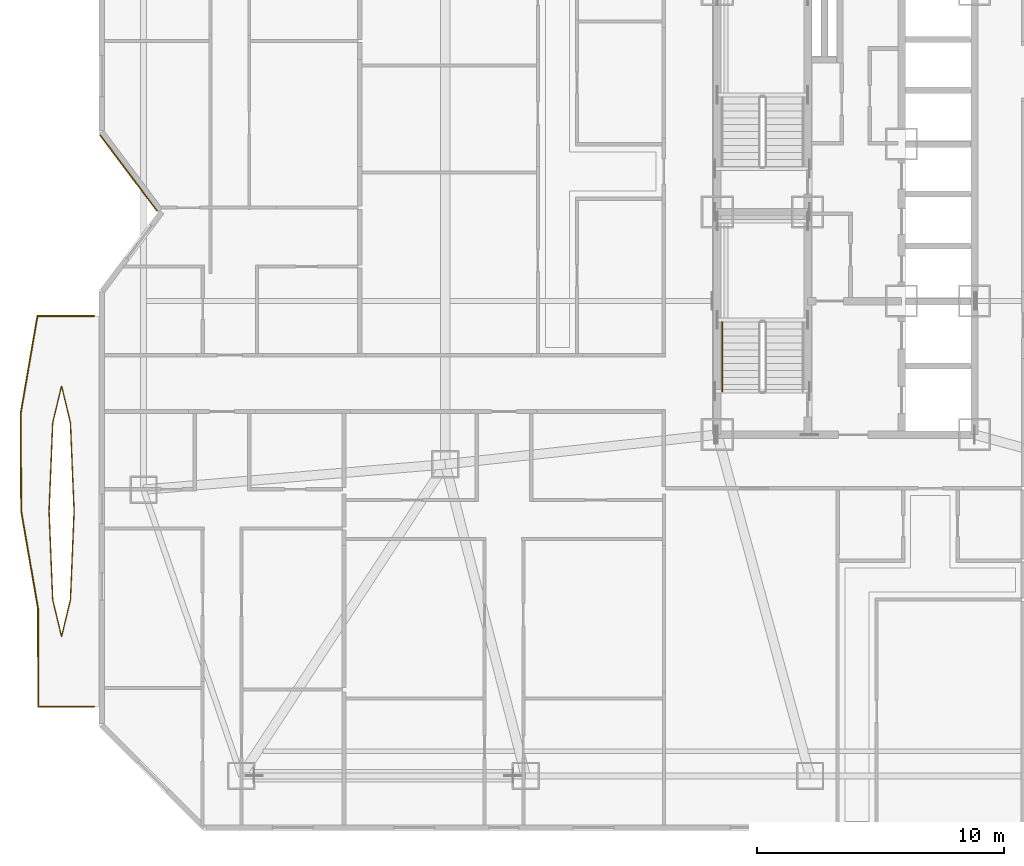
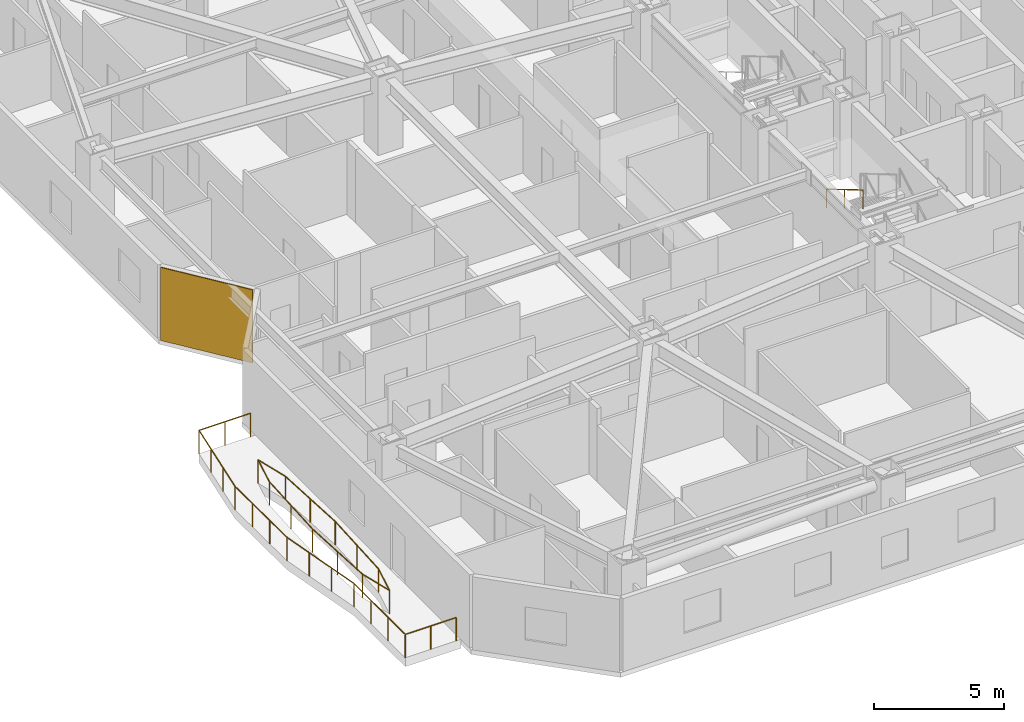
# One storey, part 15 of 17: 5 railings, 1 covering.
"""IFC4 building model written with IfcOpenShell, lengths in metres."""

from ifc_helpers import new_model, si_unit, direction, frame, origin, origin_2d, place, context, subcontext, project, spatial, rectangle, circle, extrude, material, layer, layer_set, type_object, element, save


model = new_model("IFC4")

# Units and contexts
model_context = context("Model", 3, precision=1e-05, world=origin(), true_north=direction((0.0, 1.0)))
body_context = subcontext(model_context, "Body", "Model", "MODEL_VIEW")
ifc_project = project(units=[si_unit("LENGTHUNIT", "METRE"), si_unit("AREAUNIT", "SQUARE_METRE"), si_unit("VOLUMEUNIT", "CUBIC_METRE"), si_unit("PLANEANGLEUNIT", "RADIAN"), si_unit("MASSUNIT", "GRAM", prefix="KILO")], contexts=[model_context])

# Site, building, storey
site_placement = place(None, origin())
site = spatial("IfcSite", under=ifc_project, at=site_placement, CompositionType="ELEMENT")
building_placement = place(site_placement, origin())
building = spatial("IfcBuilding", under=site, at=building_placement, Name="Khamvora Tower", CompositionType="ELEMENT")
storey_placement = place(building_placement, frame((0.0, 0.0, 44.25)))
storey = spatial("IfcBuildingStorey", under=building, at=storey_placement, Name="L10", CompositionType="ELEMENT", Elevation=44.25)

# Covering
ifc_material_1 = material(Name="Pale Anodised Aluminium Rainscreen Panel", Category="aluminium")
ifc_layer = layer(ifc_material_1, 0.044921875)
ifc_layer_set = layer_set([ifc_layer], Name="Pale Anodised Aluminium Rainscreen Panel")
covering_type = type_object("IfcCoveringType", Name="COV-CLD-ALU", PredefinedType="CLADDING", material=ifc_layer_set)
covering_placement = place(storey_placement, frame((5.193115234375, 29.580078125, 0.0), z_axis=(0.0, 0.0, 1.0), x_axis=(-0.600000000002, 0.799999999998, 0.0)))
element("IfcCovering", 1, at=covering_placement, inside=storey, type_object=covering_type, Name="L10 chamfer rainscreen cladding 04.1", PredefinedType="CLADDING", context=body_context, shape_type="SweptSolid", body=[
    extrude(rectangle(XDim=3.85009765625, YDim=0.044921875, at=origin_2d()), origin(), (0.0, 0.0, 1.0), 3.429931640625),
])

# Railings
ifc_material_2 = material(Name="Stainless Steel 316 and Laminated Glass", Category="steel")
railing_type_1 = type_object("IfcRailingType", Name="RAL-GAL-1120", PredefinedType="GUARDRAIL", material=ifc_material_2)
railing_1_placement = place(storey_placement, frame((3.800048828125, 8.0, 0.0)))
element("IfcRailing", 2, at=railing_1_placement, inside=storey, type_object=railing_type_1, Name="L10 lens gallery south perimeter guardrail WL1", PredefinedType="GUARDRAIL", context=body_context, shape_type="SweptSolid", body=[
    extrude(circle(Radius=0.02392578125, at=origin_2d()), frame((0.0, 0.0, 1.09619140625), z_axis=(-1.0, 0.0, 0.0), x_axis=(0.0, -1.0, 0.0)), (0.0, 0.0, 1.0), 2.262939453125),
    extrude(circle(Radius=0.02392578125, at=origin_2d()), frame((-2.262939453125, 0.0, 1.09619140625), z_axis=(-0.000803510464, 0.999999677185, 0.0), x_axis=(-0.999999677185, -0.000803510464, 0.0)), (0.0, 0.0, 1.0), 3.949951171875),
    extrude(circle(Radius=0.02392578125, at=origin_2d()), frame((-2.26611328125, 3.949951171875, 1.09619140625), z_axis=(-0.170351520394, 0.985383356618, 0.0), x_axis=(-0.985383356618, -0.170351520394, 0.0)), (0.0, 0.0, 1.0), 4.008544921875),
    extrude(circle(Radius=0.02099609375, at=origin_2d()), origin(), (0.0, 0.0, 1.0), 1.072021484375),
    extrude(circle(Radius=0.02099609375, at=origin_2d()), frame((-1.13134765625, 0.0, 0.0)), (0.0, 0.0, 1.0), 1.072021484375),
    extrude(circle(Radius=0.02099609375, at=origin_2d()), frame((-2.262939453125, 0.0, 0.0)), (0.0, 0.0, 1.0), 1.072021484375),
    extrude(circle(Radius=0.02099609375, at=origin_2d()), frame((-2.263916015625, 1.316650390625, 0.0)), (0.0, 0.0, 1.0), 1.072021484375),
    extrude(circle(Radius=0.02099609375, at=origin_2d()), frame((-2.26513671875, 2.63330078125, 0.0)), (0.0, 0.0, 1.0), 1.072021484375),
    extrude(circle(Radius=0.02099609375, at=origin_2d()), frame((-2.26611328125, 3.949951171875, 0.0)), (0.0, 0.0, 1.0), 1.072021484375),
    extrude(circle(Radius=0.02099609375, at=origin_2d()), frame((-2.49365234375, 5.2666015625, 0.0)), (0.0, 0.0, 1.0), 1.072021484375),
    extrude(circle(Radius=0.02099609375, at=origin_2d()), frame((-2.721435546875, 6.583251953125, 0.0)), (0.0, 0.0, 1.0), 1.072021484375),
    extrude(circle(Radius=0.02099609375, at=origin_2d()), frame((-2.948974609375, 7.89990234375, 0.0)), (0.0, 0.0, 1.0), 1.072021484375),
])
railing_2_placement = place(storey_placement, frame((0.85107421875, 15.89990234375, 0.0)))
element("IfcRailing", 3, at=railing_2_placement, inside=storey, type_object=railing_type_1, Name="L10 lens gallery north perimeter guardrail WL1", PredefinedType="GUARDRAIL", context=body_context, shape_type="SweptSolid", body=[
    extrude(circle(Radius=0.02392578125, at=origin_2d()), frame((0.0, 0.0, 1.09619140625), z_axis=(-0.005871345027, 0.999982763505, 0.0), x_axis=(-0.999982763505, -0.005871345027, 0.0)), (0.0, 0.0, 1.0), 3.9501953125),
    extrude(circle(Radius=0.02392578125, at=origin_2d()), frame((-0.023193359375, 3.9501953125, 1.09619140625), z_axis=(0.169937511846, 0.985454840197, 0.0), x_axis=(-0.985454840197, 0.169937511846, 0.0)), (0.0, 0.0, 1.0), 4.00830078125),
    extrude(circle(Radius=0.02392578125, at=origin_2d()), frame((0.657958984375, 7.900146484375, 1.09619140625), z_axis=(1.0, 0.0, 0.0), x_axis=(0.0, 1.0, 0.0)), (0.0, 0.0, 1.0), 2.291015625),
    extrude(circle(Radius=0.02099609375, at=origin_2d()), origin(), (0.0, 0.0, 1.0), 1.072021484375),
    extrude(circle(Radius=0.02099609375, at=origin_2d()), frame((-0.0078125, 1.316650390625, 0.0)), (0.0, 0.0, 1.0), 1.072021484375),
    extrude(circle(Radius=0.02099609375, at=origin_2d()), frame((-0.015380859375, 2.633544921875, 0.0)), (0.0, 0.0, 1.0), 1.072021484375),
    extrude(circle(Radius=0.02099609375, at=origin_2d()), frame((-0.023193359375, 3.9501953125, 0.0)), (0.0, 0.0, 1.0), 1.072021484375),
    extrude(circle(Radius=0.02099609375, at=origin_2d()), frame((0.203857421875, 5.266845703125, 0.0)), (0.0, 0.0, 1.0), 1.072021484375),
    extrude(circle(Radius=0.02099609375, at=origin_2d()), frame((0.430908203125, 6.58349609375, 0.0)), (0.0, 0.0, 1.0), 1.072021484375),
    extrude(circle(Radius=0.02099609375, at=origin_2d()), frame((0.657958984375, 7.900146484375, 0.0)), (0.0, 0.0, 1.0), 1.072021484375),
    extrude(circle(Radius=0.02099609375, at=origin_2d()), frame((1.803466796875, 7.900146484375, 0.0)), (0.0, 0.0, 1.0), 1.072021484375),
    extrude(circle(Radius=0.02099609375, at=origin_2d()), frame((2.948974609375, 7.900146484375, 0.0)), (0.0, 0.0, 1.0), 1.072021484375),
])
railing_3_placement = place(storey_placement, frame((2.989013671875, 15.89990234375, 0.0)))
element("IfcRailing", 4, at=railing_3_placement, inside=storey, type_object=railing_type_1, Name="L10 lens gallery void guardrail WL1A", PredefinedType="GUARDRAIL", context=body_context, shape_type="SweptSolid", body=[
    extrude(circle(Radius=0.02392578125, at=origin_2d()), frame((0.0, 0.0, 1.09619140625), z_axis=(-0.041346748408, 0.999144857564, 0.0), x_axis=(-0.999144857564, -0.041346748408, 0.0)), (0.0, 0.0, 1.0), 3.578369140625),
    extrude(circle(Radius=0.02392578125, at=origin_2d()), frame((-0.14794921875, 3.5751953125, 1.09619140625), z_axis=(-0.233700305622, 0.972308678945, 0.0), x_axis=(-0.972308678945, -0.233700305622, 0.0)), (0.0, 0.0, 1.0), 1.523193359375),
    extrude(circle(Radius=0.02392578125, at=origin_2d()), frame((-0.50390625, 5.05615234375, 1.09619140625), z_axis=(-0.233851831104, -0.972272246384, 0.0), x_axis=(0.972272246384, -0.233851831104, 0.0)), (0.0, 0.0, 1.0), 1.523193359375),
    extrude(circle(Radius=0.02392578125, at=origin_2d()), frame((-0.860107421875, 3.5751953125, 1.09619140625), z_axis=(-0.041346748408, -0.999144857564, 0.0), x_axis=(0.999144857564, -0.041346748408, 0.0)), (0.0, 0.0, 1.0), 3.578369140625),
    extrude(circle(Radius=0.02099609375, at=origin_2d()), origin(), (0.0, 0.0, 1.0), 1.072021484375),
    extrude(circle(Radius=0.02099609375, at=origin_2d()), frame((-0.073974609375, 1.78759765625, 0.0)), (0.0, 0.0, 1.0), 1.072021484375),
    extrude(circle(Radius=0.02099609375, at=origin_2d()), frame((-0.14794921875, 3.5751953125, 0.0)), (0.0, 0.0, 1.0), 1.072021484375),
    extrude(circle(Radius=0.02099609375, at=origin_2d()), frame((-0.50390625, 5.05615234375, 0.0)), (0.0, 0.0, 1.0), 1.072021484375),
    extrude(circle(Radius=0.02099609375, at=origin_2d()), frame((-0.860107421875, 3.5751953125, 0.0)), (0.0, 0.0, 1.0), 1.072021484375),
    extrude(circle(Radius=0.02099609375, at=origin_2d()), frame((-0.93408203125, 1.78759765625, 0.0)), (0.0, 0.0, 1.0), 1.072021484375),
    extrude(circle(Radius=0.02099609375, at=origin_2d()), frame((-1.008056640625, 0.0, 0.0)), (0.0, 0.0, 1.0), 1.072021484375),
])
railing_4_placement = place(storey_placement, frame((1.98095703125, 15.89990234375, 0.0)))
element("IfcRailing", 5, at=railing_4_placement, inside=storey, type_object=railing_type_1, Name="L10 lens gallery void guardrail WL1B", PredefinedType="GUARDRAIL", context=body_context, shape_type="SweptSolid", body=[
    extrude(circle(Radius=0.02392578125, at=origin_2d()), frame((0.0, 0.0, 1.09619140625), z_axis=(0.041349567233, -0.999144740911, 0.0), x_axis=(0.999144740911, 0.041349567233, 0.0)), (0.0, 0.0, 1.0), 3.578125),
    extrude(circle(Radius=0.02392578125, at=origin_2d()), frame((0.14794921875, -3.574951171875, 1.09619140625), z_axis=(0.233851831104, -0.972272246384, 0.0), x_axis=(0.972272246384, 0.233851831104, 0.0)), (0.0, 0.0, 1.0), 1.523193359375),
    extrude(circle(Radius=0.02392578125, at=origin_2d()), frame((0.504150390625, -5.055908203125, 1.09619140625), z_axis=(0.233700305622, 0.972308678945, 0.0), x_axis=(-0.972308678945, 0.233700305622, 0.0)), (0.0, 0.0, 1.0), 1.523193359375),
    extrude(circle(Radius=0.02392578125, at=origin_2d()), frame((0.860107421875, -3.574951171875, 1.09619140625), z_axis=(0.041349567233, 0.999144740911, 0.0), x_axis=(-0.999144740911, 0.041349567233, 0.0)), (0.0, 0.0, 1.0), 3.578125),
    extrude(circle(Radius=0.02099609375, at=origin_2d()), origin(), (0.0, 0.0, 1.0), 1.072021484375),
    extrude(circle(Radius=0.02099609375, at=origin_2d()), frame((0.073974609375, -1.78759765625, 0.0)), (0.0, 0.0, 1.0), 1.072021484375),
    extrude(circle(Radius=0.02099609375, at=origin_2d()), frame((0.14794921875, -3.574951171875, 0.0)), (0.0, 0.0, 1.0), 1.072021484375),
    extrude(circle(Radius=0.02099609375, at=origin_2d()), frame((0.504150390625, -5.055908203125, 0.0)), (0.0, 0.0, 1.0), 1.072021484375),
    extrude(circle(Radius=0.02099609375, at=origin_2d()), frame((0.860107421875, -3.574951171875, 0.0)), (0.0, 0.0, 1.0), 1.072021484375),
    extrude(circle(Radius=0.02099609375, at=origin_2d()), frame((0.93408203125, -1.78759765625, 0.0)), (0.0, 0.0, 1.0), 1.072021484375),
    extrude(circle(Radius=0.02099609375, at=origin_2d()), frame((1.008056640625, 0.0, 0.0)), (0.0, 0.0, 1.0), 1.072021484375),
])
ifc_material_3 = material(Name="Brushed Stainless Steel 316", Category="steel")
railing_type_2 = type_object("IfcRailingType", Name="RAL-HDR-920", PredefinedType="HANDRAIL", material=ifc_material_3)
railing_5_placement = place(storey_placement, frame((29.199951171875, 23.550048828125, 1.990966796875)))
element("IfcRailing", 6, at=railing_5_placement, inside=storey, type_object=railing_type_2, Name="L10 ST-01 stair handrail 2", PredefinedType="HANDRAIL", context=body_context, shape_type="SweptSolid", body=[
    extrude(circle(Radius=0.02392578125, at=origin_2d()), frame((0.0, 0.0, 0.8759765625), z_axis=(0.0, -0.860339051648, 0.50972219513), x_axis=(1.0, 0.0, 0.0)), (0.0, 0.0, 1.0), 3.254638671875),
    extrude(circle(Radius=0.02099609375, at=origin_2d()), origin(), (0.0, 0.0, 1.0), 0.851806640625),
    extrude(circle(Radius=0.02099609375, at=origin_2d()), frame((0.0, -1.39990234375, 0.82958984375)), (0.0, 0.0, 1.0), 0.851806640625),
    extrude(circle(Radius=0.02099609375, at=origin_2d()), frame((0.0, -2.800048828125, 1.658935546875)), (0.0, 0.0, 1.0), 0.851806640625),
])

save(model, "model.ifc")
